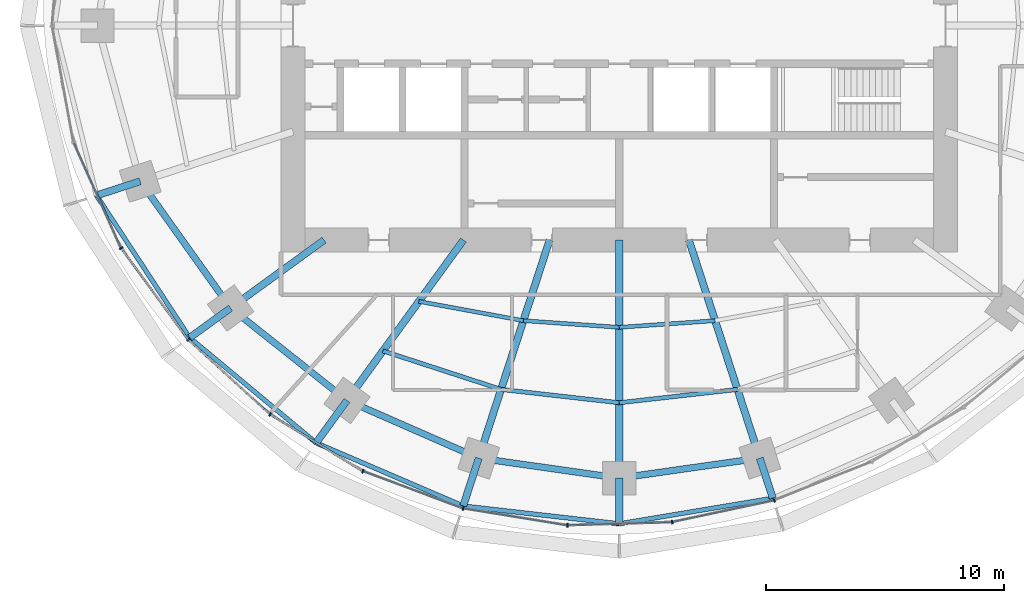
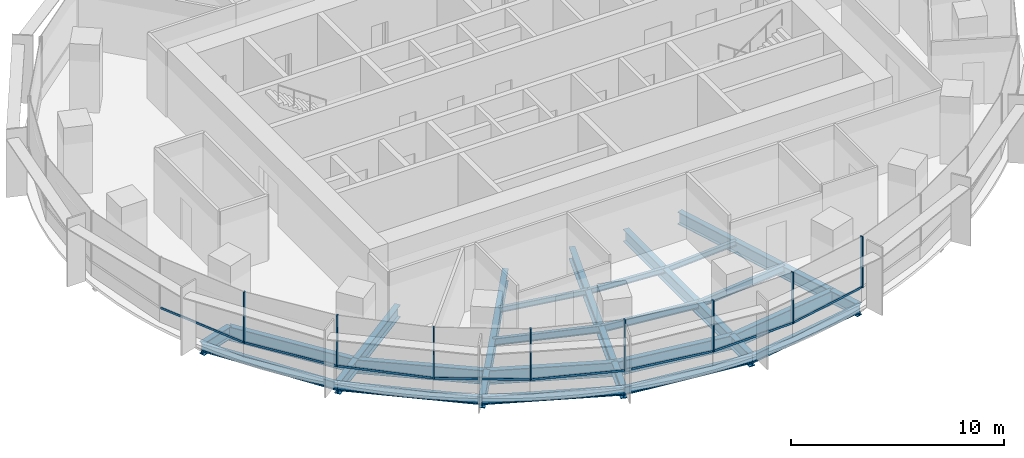
# One storey, part 2 of 15: 27 beams, 16 members, 2 elements without a shape of their own.
"""IFC4 building model written with IfcOpenShell, lengths in metres."""

import ifcopenshell
import ifcopenshell.guid

model = None  # the IFC model being written
_history = None  # IfcOwnerHistory: only IFC2X3 demands one
_inside = {}  # id of a spatial element -> (the spatial element, [elements in it])
_under = {}  # id of a project, library or spatial element -> (it, [spatial elements below it])
_declared = {}  # id of a project -> (the project, [libraries it declares])
_typed = {}  # id of a type object -> (the type object, [elements of that type])
_made_of = {}  # id of a material, layer set ... -> (it, [elements and type objects made of it])


def new_model(schema):
    """Start an empty IFC model of exactly this schema.

    Asked for "IFC4X3", IfcOpenShell would pick the latest addendum, in which some entities
    have other attributes; the version numbers below select the first issue.
    IFC2X3 requires an IfcOwnerHistory on every rooted entity: one is made here for all.
    """
    global model, _history
    if schema == "IFC4X3":
        model = ifcopenshell.file(schema_version=(4, 3, 0, 0))
    else:
        model = ifcopenshell.file(schema=schema)
    _inside.clear()
    _under.clear()
    _declared.clear()
    _typed.clear()
    _made_of.clear()
    _history = None
    if model.schema == "IFC2X3":
        org = make("IfcOrganization", Name="unknown")
        user = make(
            "IfcPersonAndOrganization",
            ThePerson=make("IfcPerson", FamilyName="unknown"),
            TheOrganization=org,
        )
        app = make(
            "IfcApplication",
            ApplicationDeveloper=org,
            Version="unknown",
            ApplicationFullName="unknown",
            ApplicationIdentifier="unknown",
        )
        _history = make(
            "IfcOwnerHistory",
            OwningUser=user,
            OwningApplication=app,
            ChangeAction="ADDED",
            CreationDate=0,
        )
    return model


def make(cls, **values):
    """One entity of the class cls with the attributes given. An attribute that is None is left unset."""
    return model.create_entity(
        cls, **{name: value for name, value in values.items() if value is not None}
    )


def rooted(cls, **values):
    """An entity with a GlobalId (a new one), such as an element, a storey or a relation."""
    return make(cls, GlobalId=ifcopenshell.guid.new(), OwnerHistory=_history, **values)


def si_unit(unit_type, name, prefix=None):
    """IfcSIUnit, for example si_unit("LENGTHUNIT", "METRE", prefix="MILLI")."""
    return make("IfcSIUnit", UnitType=unit_type, Prefix=prefix, Name=name)


def assignment(units):
    """IfcUnitAssignment: the units of a project."""
    return None if units is None else make("IfcUnitAssignment", Units=units)


def point(xyz):
    """IfcCartesianPoint."""
    return None if xyz is None else make("IfcCartesianPoint", Coordinates=xyz)


def direction(xyz):
    """IfcDirection."""
    return None if xyz is None else make("IfcDirection", DirectionRatios=xyz)


def frame(location, z_axis=None, x_axis=None):
    """IfcAxis2Placement3D, a coordinate frame: its origin and axes. An axis left out is left unset."""
    return make(
        "IfcAxis2Placement3D",
        Location=point(location),
        Axis=direction(z_axis),
        RefDirection=direction(x_axis),
    )


def frame_2d(location, x_axis=None):
    """IfcAxis2Placement2D, a coordinate frame in the plane: its origin and x axis."""
    return make(
        "IfcAxis2Placement2D", Location=point(location), RefDirection=direction(x_axis)
    )


def origin():
    """The frame at (0, 0, 0) with its axes left unset."""
    return frame((0.0, 0.0, 0.0))


def origin_2d():
    """The frame at (0, 0) in the plane with its x axis left unset."""
    return frame_2d((0.0, 0.0))


def place(relative_to, where):
    """IfcLocalPlacement: puts the frame where relative to a parent placement (None: the world)."""
    return make(
        "IfcLocalPlacement", PlacementRelTo=relative_to, RelativePlacement=where
    )


def context(
    kind, dimensions, precision=None, world=None, true_north=None, identifier=None
):
    """IfcGeometricRepresentationContext, for example the 3D "Model" context."""
    return make(
        "IfcGeometricRepresentationContext",
        ContextIdentifier=identifier,
        ContextType=kind,
        CoordinateSpaceDimension=dimensions,
        Precision=precision,
        WorldCoordinateSystem=world,
        TrueNorth=true_north,
    )


def subcontext(parent, identifier, kind, view, scale=None):
    """IfcGeometricRepresentationSubContext, for example "Body" below "Model"."""
    return make(
        "IfcGeometricRepresentationSubContext",
        ContextIdentifier=identifier,
        ContextType=kind,
        ParentContext=parent,
        TargetScale=scale,
        TargetView=view,
    )


def project(units=None, contexts=None):
    """IfcProject with its units and contexts."""
    return rooted(
        "IfcProject",
        Name="project",
        RepresentationContexts=contexts,
        UnitsInContext=assignment(units),
    )


def spatial(cls, under=None, at=None, **own):
    """A site, building, storey or space (cls), placed at a placement, below another one or the project."""
    s = rooted(cls, ObjectPlacement=at, **own)
    if under is not None:
        _under.setdefault(under.id(), (under, []))[1].append(s)
    return s


def profile(cls, at=None, kind="AREA", **sizes):
    """A parametric profile (cls). Its sizes go by their IFC names, for example OverallWidth=200.0."""
    return make(cls, ProfileType=kind, Position=at, **sizes)


def rectangle(**sizes):
    """IfcRectangleProfileDef."""
    return profile("IfcRectangleProfileDef", **sizes)


def i_section(**sizes):
    """IfcIShapeProfileDef."""
    return profile("IfcIShapeProfileDef", **sizes)


def extrude(swept, where, along, depth):
    """IfcExtrudedAreaSolid: the profile swept, set in the frame where, extruded along a direction by depth."""
    return make(
        "IfcExtrudedAreaSolid",
        SweptArea=swept,
        Position=where,
        ExtrudedDirection=direction(along),
        Depth=depth,
    )


def shape(context_of_items, identifier, shape_type, items):
    """IfcShapeRepresentation: the items that make up one representation, for example the "Body"."""
    return make(
        "IfcShapeRepresentation",
        ContextOfItems=context_of_items,
        RepresentationIdentifier=identifier,
        RepresentationType=shape_type,
        Items=items,
    )


def material(Name=None, Category=None):
    """IfcMaterial."""
    return make("IfcMaterial", Name=Name, Category=Category)


def material_profile(
    of_material, cross_section, Name=None, Category=None, Priority=None
):
    """IfcMaterialProfile: a cross section and its material."""
    return make(
        "IfcMaterialProfile",
        Name=Name,
        Material=of_material,
        Profile=cross_section,
        Priority=Priority,
        Category=Category,
    )


def profile_set(profiles, Name=None, composite=None):
    """IfcMaterialProfileSet."""
    return make(
        "IfcMaterialProfileSet",
        Name=Name,
        MaterialProfiles=profiles,
        CompositeProfile=composite,
    )


def made_of(thing, what):
    """Note that an element or type object is made of a material, layer set ...; save() writes the relation."""
    if what is not None:
        _made_of.setdefault(what.id(), (what, []))[1].append(thing)
    return thing


def type_object(cls, material=None, **own):
    """A type object (cls), such as IfcWallType, which elements share."""
    return made_of(rooted(cls, **own), material)


def element(
    cls,
    number,
    at=None,
    inside=None,
    cuts=None,
    type_object=None,
    material=None,
    context=None,
    identifier="Body",
    shape_type=None,
    held_by="IfcProductDefinitionShape",
    body=None,
    shapes=None,
    **own,
):
    """One element of the class cls, such as IfcWall. Its Tag is "e" and its number.

    at: its placement. inside: the storey or other place that contains it. cuts: it is an
    opening in that element (IfcRelVoidsElement). A single representation is given by context,
    identifier, shape_type and body (its items); several are given by shapes. held_by: the class
    of the entity that holds the representations. save() writes the other relations.
    """
    e = rooted(cls, Tag="e%d" % number, ObjectPlacement=at, **own)
    if body is not None:
        shapes = [shape(context, identifier, shape_type, body)]
    if shapes is not None:
        e.Representation = make(held_by, Representations=shapes)
    if inside is not None:
        _inside.setdefault(inside.id(), (inside, []))[1].append(e)
    if cuts is not None:
        rooted(
            "IfcRelVoidsElement", RelatingBuildingElement=cuts, RelatedOpeningElement=e
        )
    if type_object is not None:
        _typed.setdefault(type_object.id(), (type_object, []))[1].append(e)
    return made_of(e, material)


def aggregate(whole, parts):
    """IfcRelAggregates: a whole, such as a stair, and the parts it consists of."""
    return rooted("IfcRelAggregates", RelatingObject=whole, RelatedObjects=parts)


def save(model, path):
    """Write the relations noted so far, then the file.

    IfcRelAggregates (storeys below a building ...), IfcRelContainedInSpatialStructure (elements
    in a storey), IfcRelDefinesByType, IfcRelAssociatesMaterial and IfcRelDeclares: one each for
    every whole, place, type object, material and project.
    """
    for whole, parts in _under.values():
        aggregate(whole, parts)
    for where, things in _inside.values():
        rooted(
            "IfcRelContainedInSpatialStructure",
            RelatedElements=things,
            RelatingStructure=where,
        )
    for kind, things in _typed.values():
        rooted("IfcRelDefinesByType", RelatedObjects=things, RelatingType=kind)
    for what, things in _made_of.values():
        rooted("IfcRelAssociatesMaterial", RelatedObjects=things, RelatingMaterial=what)
    for by, libraries in _declared.values():
        rooted("IfcRelDeclares", RelatingContext=by, RelatedDefinitions=libraries)
    model.write(path)


model = new_model("IFC4")

# Units and contexts
model_context = context("Model", 3, precision=1e-05, world=origin(), true_north=direction((0.0, 1.0)))
body_context = subcontext(model_context, "Body", "Model", "MODEL_VIEW")
ifc_project = project(units=[si_unit("LENGTHUNIT", "METRE"), si_unit("AREAUNIT", "SQUARE_METRE"), si_unit("VOLUMEUNIT", "CUBIC_METRE"), si_unit("PLANEANGLEUNIT", "RADIAN"), si_unit("MASSUNIT", "GRAM", prefix="KILO")], contexts=[model_context])

# Site, building, storey
site_placement = place(None, origin())
site = spatial("IfcSite", under=ifc_project, at=site_placement, CompositionType="ELEMENT")
building_placement = place(site_placement, origin())
building = spatial("IfcBuilding", under=site, at=building_placement, Name="Marramba Exchange Tower", CompositionType="ELEMENT")
storey_placement = place(building_placement, frame((0.0, 0.0, 207.199951171875)))
storey = spatial("IfcBuildingStorey", under=building, at=storey_placement, Name="L50", CompositionType="ELEMENT", Elevation=207.199951171875)

# Beams
ifc_material_1 = material(Name="Steel AS/NZS 3679.2 grade 300", Category="steel")
ifc_material_profile_1 = material_profile(ifc_material_1, i_section(OverallWidth=0.300048828125, OverallDepth=0.699951171875, WebThickness=0.010009765625, FlangeThickness=0.031982421875, at=origin_2d()), Name="700WB173")
ifc_profile_set_1 = profile_set([ifc_material_profile_1], Name="Steel AS/NZS 3679.2 grade 300")
beam_type_1 = type_object("IfcBeamType", Name="Cantilever girder 700WB173", PredefinedType="BEAM", material=ifc_profile_set_1)
beam_1_placement = place(storey_placement, frame((-20.109375, -6.533935546875, -0.510009765625), z_axis=(-0.951071238541, -0.308971680287, 0.0), x_axis=(0.308971680287, -0.951071238541, 0.0)))
element("IfcBeam", 1, at=beam_1_placement, inside=storey, type_object=beam_type_1, Name="Cantilever girder L50 TC12", PredefinedType="BEAM", context=body_context, shape_type="SweptSolid", body=[
    extrude(i_section(OverallWidth=0.300048828125, OverallDepth=0.699951171875, WebThickness=0.010009765625, FlangeThickness=0.031982421875, at=origin_2d()), origin(), (0.0, 0.0, 1.0), 1.930419921875),
])
beam_2_placement = place(storey_placement, frame((-16.3154296875, -11.853759765625, -0.510009765625), z_axis=(-0.808969966943, -0.587849974555, 0.0), x_axis=(0.587849974555, -0.808969966943, 0.0)))
element("IfcBeam", 2, at=beam_2_placement, inside=storey, type_object=beam_type_1, Name="Cantilever girder L50 TC13", PredefinedType="BEAM", context=body_context, shape_type="SweptSolid", body=[
    extrude(i_section(OverallWidth=0.300048828125, OverallDepth=0.699951171875, WebThickness=0.010009765625, FlangeThickness=0.031982421875, at=origin_2d()), origin(), (0.0, 0.0, 1.0), 2.12109375),
])
beam_3_placement = place(storey_placement, frame((-11.430419921875, -15.732666015625, -0.510009765625), z_axis=(-0.587789596657, -0.809013837992, 0.0), x_axis=(0.809013837992, -0.587789596657, 0.0)))
element("IfcBeam", 3, at=beam_3_placement, inside=storey, type_object=beam_type_1, Name="Cantilever girder L50 TC14", PredefinedType="BEAM", context=body_context, shape_type="SweptSolid", body=[
    extrude(i_section(OverallWidth=0.300048828125, OverallDepth=0.699951171875, WebThickness=0.010009765625, FlangeThickness=0.031982421875, at=origin_2d()), origin(), (0.0, 0.0, 1.0), 2.203857421875),
])
beam_4_placement = place(storey_placement, frame((-5.899658203125, -18.156982421875, -0.510009765625), z_axis=(-0.308971068529, -0.951071437281, 0.0), x_axis=(0.951071437281, -0.308971068529, 0.0)))
element("IfcBeam", 4, at=beam_4_placement, inside=storey, type_object=beam_type_1, Name="Cantilever girder L50 TC15", PredefinedType="BEAM", context=body_context, shape_type="SweptSolid", body=[
    extrude(i_section(OverallWidth=0.300048828125, OverallDepth=0.699951171875, WebThickness=0.010009765625, FlangeThickness=0.031982421875, at=origin_2d()), origin(), (0.0, 0.0, 1.0), 2.112060546875),
])
beam_5_placement = place(storey_placement, frame((0.0, -18.99609375, -0.510009765625), z_axis=(0.0, -1.0, 0.0), x_axis=(1.0, 0.0, 0.0)))
element("IfcBeam", 5, at=beam_5_placement, inside=storey, type_object=beam_type_1, Name="Cantilever girder L50 TC16", PredefinedType="BEAM", context=body_context, shape_type="SweptSolid", body=[
    extrude(i_section(OverallWidth=0.300048828125, OverallDepth=0.699951171875, WebThickness=0.010009765625, FlangeThickness=0.031982421875, at=origin_2d()), origin(), (0.0, 0.0, 1.0), 1.917724609375),
])
beam_6_placement = place(storey_placement, frame((5.899658203125, -18.156982421875, -0.510009765625), z_axis=(0.308926813415, -0.951085813138, 0.0), x_axis=(0.951085813138, 0.308926813415, 0.0)))
element("IfcBeam", 6, at=beam_6_placement, inside=storey, type_object=beam_type_1, Name="Cantilever girder L50 TC17", PredefinedType="BEAM", context=body_context, shape_type="SweptSolid", body=[
    extrude(i_section(OverallWidth=0.300048828125, OverallDepth=0.699951171875, WebThickness=0.010009765625, FlangeThickness=0.031982421875, at=origin_2d()), origin(), (0.0, 0.0, 1.0), 1.767822265625),
])
ifc_material_2 = material(Name="Steel AS/NZS 3679.1 grade 300", Category="steel")
ifc_material_profile_2 = material_profile(ifc_material_2, i_section(OverallWidth=0.166015625, OverallDepth=0.306884765625, WebThickness=0.006591796875, FlangeThickness=0.01171875, FilletRadius=0.011474609375, at=origin_2d()), Name="310UB46.2")
ifc_profile_set_2 = profile_set([ifc_material_profile_2], Name="Steel AS/NZS 3679.1 grade 300")
beam_type_2 = type_object("IfcBeamType", Name="Floor joist 310UB46.2", PredefinedType="JOIST", material=ifc_profile_set_2)
beam_7_placement = place(storey_placement, frame((-8.41162109375, -11.57763671875, -0.3134765625), z_axis=(0.983455754421, -0.181148500119, 0.0), x_axis=(0.181148500119, 0.983455754421, 0.0)))
element("IfcBeam", 7, at=beam_7_placement, inside=storey, type_object=beam_type_2, Name="Joist L50 bay 14 row 1", PredefinedType="JOIST", context=body_context, shape_type="SweptSolid", body=[
    extrude(i_section(OverallWidth=0.166015625, OverallDepth=0.306884765625, WebThickness=0.006591796875, FlangeThickness=0.01171875, FilletRadius=0.011474609375, at=origin_2d()), origin(), (0.0, 0.0, 1.0), 4.4609375),
])
for number, where, z_axis, x_axis, name in (
    (8, (-4.0244140625, -12.3857421875, -0.3134765625), (0.99759625901, -0.069294328838, 0.0), (0.069294328838, 0.99759625901, 0.0), "Joist L50 bay 15 row 1"),
    (9, (0.0, -12.665283203125, -0.3134765625), (0.99759625901, 0.069294328838, 0.0), (-0.069294328838, 0.99759625901, 0.0), "Joist L50 bay 16 row 1"),
):
    element("IfcBeam", number, at=place(storey_placement, frame(where, z_axis=z_axis, x_axis=x_axis)), inside=storey, type_object=beam_type_2, Name=name, PredefinedType="JOIST", context=body_context, shape_type="SweptSolid", body=[
        extrude(i_section(OverallWidth=0.166015625, OverallDepth=0.306884765625, WebThickness=0.006591796875, FlangeThickness=0.01171875, FilletRadius=0.011474609375, at=origin_2d()), origin(), (0.0, 0.0, 1.0), 4.0341796875),
    ])
ifc_material_profile_3 = material_profile(ifc_material_2, i_section(OverallWidth=0.177978515625, OverallDepth=0.406005859375, WebThickness=0.0078125, FlangeThickness=0.0126953125, FilletRadius=0.011474609375, at=origin_2d()), Name="410UB59.7")
ifc_profile_set_3 = profile_set([ifc_material_profile_3], Name="Steel AS/NZS 3679.1 grade 300")
beam_type_3 = type_object("IfcBeamType", Name="Floor joist 410UB59.7", PredefinedType="JOIST", material=ifc_profile_set_3)
beam_8_placement = place(storey_placement, frame((-9.9208984375, -13.655029296875, -0.363037109375), z_axis=(0.950764024931, -0.309915744834, 0.0), x_axis=(0.309915744834, 0.950764024931, 0.0)))
element("IfcBeam", 10, at=beam_8_placement, inside=storey, type_object=beam_type_3, Name="Joist L50 bay 14 row 2", PredefinedType="JOIST", context=body_context, shape_type="SweptSolid", body=[
    extrude(i_section(OverallWidth=0.177978515625, OverallDepth=0.406005859375, WebThickness=0.0078125, FlangeThickness=0.0126953125, FilletRadius=0.011474609375, at=origin_2d()), origin(), (0.0, 0.0, 1.0), 5.2158203125),
])
for number, where, z_axis, x_axis, name in (
    (11, (-4.9619140625, -15.271484375, -0.363037109375), (0.993712018573, -0.111966174106, 0.0), (0.111966174106, 0.993712018573, 0.0), "Joist L50 bay 15 row 2"),
    (12, (0.0, -15.83056640625, -0.363037109375), (0.993712018573, 0.111966174106, 0.0), (-0.111966174106, 0.993712018573, 0.0), "Joist L50 bay 16 row 2"),
):
    element("IfcBeam", number, at=place(storey_placement, frame(where, z_axis=z_axis, x_axis=x_axis)), inside=storey, type_object=beam_type_3, Name=name, PredefinedType="JOIST", context=body_context, shape_type="SweptSolid", body=[
        extrude(i_section(OverallWidth=0.177978515625, OverallDepth=0.406005859375, WebThickness=0.0078125, FlangeThickness=0.0126953125, FilletRadius=0.011474609375, at=origin_2d()), origin(), (0.0, 0.0, 1.0), 4.993408203125),
    ])

# Curtain wall, members
ifc_material_3 = material(Name="Aluminium framing, bronze anodised", Category="aluminium")
curtain_wall_type = type_object("IfcCurtainWallType", Name="Office ribbon curtain wall", PredefinedType="USERDEFINED", material=ifc_material_3)
curtain_wall_1_placement = place(storey_placement, origin())
curtain_wall_1 = element("IfcCurtainWall", 13, at=curtain_wall_1_placement, inside=storey, type_object=curtain_wall_type, Name="Curtain wall CW4 L50 F16-F20", ObjectType="RIBBON CURTAIN WALL", PredefinedType="USERDEFINED")
ifc_material_4 = material(Name="Aluminium mullion, bronze anodised", Category="aluminium")
ifc_material_profile_4 = material_profile(ifc_material_4, rectangle(XDim=0.159912109375, YDim=0.06005859375, at=origin_2d()), Name="CW4 mullion 60x160")
ifc_profile_set_4 = profile_set([ifc_material_profile_4], Name="Aluminium mullion, bronze anodised")
member_type_1 = type_object("IfcMemberType", Name="Office ribbon curtain wall mullion", PredefinedType="MULLION", material=ifc_profile_set_4)
member_1_placement = place(storey_placement, frame((-20.910400390625, -9.342041015625, 0.800048828125), z_axis=(0.0, 0.0, 1.0), x_axis=(0.806508054547, 0.591223103363, 0.0)))
member_1 = element("IfcMember", 14, at=member_1_placement, type_object=member_type_1, Name="CW4 mullion 1", PredefinedType="MULLION", context=body_context, shape_type="SweptSolid", body=[
    extrude(rectangle(XDim=0.159912109375, YDim=0.06005859375, at=origin_2d()), origin(), (0.0, 0.0, 1.0), 2.93994140625),
])
member_2_placement = place(storey_placement, frame((-18.090087890625, -13.179443359375, 0.800048828125), z_axis=(0.0, 0.0, 1.0), x_axis=(0.67567103474, 0.737203264245, 0.0)))
member_2 = element("IfcMember", 15, at=member_2_placement, type_object=member_type_1, Name="CW4 mullion 1", PredefinedType="MULLION", context=body_context, shape_type="SweptSolid", body=[
    extrude(rectangle(XDim=0.159912109375, YDim=0.06005859375, at=origin_2d()), origin(), (0.0, 0.0, 1.0), 2.93994140625),
])
member_3_placement = place(storey_placement, frame((-14.655029296875, -16.320068359375, 0.800048828125), z_axis=(0.0, 0.0, 1.0), x_axis=(0.52305160869, 0.85230101176, 0.0)))
member_3 = element("IfcMember", 16, at=member_3_placement, type_object=member_type_1, Name="CW4 mullion 1", PredefinedType="MULLION", context=body_context, shape_type="SweptSolid", body=[
    extrude(rectangle(XDim=0.159912109375, YDim=0.06005859375, at=origin_2d()), origin(), (0.0, 0.0, 1.0), 2.93994140625),
])

curtain_wall_2_placement = place(storey_placement, origin())
curtain_wall_2 = element("IfcCurtainWall", 17, at=curtain_wall_2_placement, inside=storey, type_object=curtain_wall_type, Name="Curtain wall CW4 L50 F21-F25", ObjectType="RIBBON CURTAIN WALL", PredefinedType="USERDEFINED")
member_4_placement = place(storey_placement, frame((-10.76318359375, -18.70166015625, 0.800048828125), z_axis=(0.0, 0.0, 1.0), x_axis=(0.349459197687, 0.936951583142, 0.0)))
member_4 = element("IfcMember", 18, at=member_4_placement, type_object=member_type_1, Name="CW4 mullion 1", PredefinedType="MULLION", context=body_context, shape_type="SweptSolid", body=[
    extrude(rectangle(XDim=0.159912109375, YDim=0.06005859375, at=origin_2d()), origin(), (0.0, 0.0, 1.0), 2.93994140625),
])
member_5_placement = place(storey_placement, frame((-6.553466796875, -20.265625, 0.800048828125), z_axis=(0.0, 0.0, 1.0), x_axis=(0.161145726194, 0.986930623159, 0.0)))
member_5 = element("IfcMember", 19, at=member_5_placement, type_object=member_type_1, Name="CW4 mullion 1", PredefinedType="MULLION", context=body_context, shape_type="SweptSolid", body=[
    extrude(rectangle(XDim=0.159912109375, YDim=0.06005859375, at=origin_2d()), origin(), (0.0, 0.0, 1.0), 2.93994140625),
])
member_6_placement = place(storey_placement, frame((-2.174560546875, -20.974853515625, 0.800048828125), z_axis=(0.0, 0.0, 1.0), x_axis=(-0.029393451762, 0.99956791915, 0.0)))
member_6 = element("IfcMember", 20, at=member_6_placement, type_object=member_type_1, Name="CW4 mullion 1", PredefinedType="MULLION", context=body_context, shape_type="SweptSolid", body=[
    extrude(rectangle(XDim=0.159912109375, YDim=0.06005859375, at=origin_2d()), origin(), (0.0, 0.0, 1.0), 2.93994140625),
])
member_7_placement = place(storey_placement, frame((2.220458984375, -20.840087890625, 0.800048828125), z_axis=(0.0, 0.0, 1.0), x_axis=(-0.208332456608, 0.978058069607, 0.0)))
member_7 = element("IfcMember", 21, at=member_7_placement, type_object=member_type_1, Name="CW4 mullion 1", PredefinedType="MULLION", context=body_context, shape_type="SweptSolid", body=[
    extrude(rectangle(XDim=0.159912109375, YDim=0.06005859375, at=origin_2d()), origin(), (0.0, 0.0, 1.0), 2.93994140625),
])
member_8_placement = place(storey_placement, frame((6.504638671875, -19.922607421875, 0.800048828125), z_axis=(0.0, 0.0, 1.0), x_axis=(-0.367374724195, 0.93007301435, 0.0)))
member_8 = element("IfcMember", 22, at=member_8_placement, type_object=member_type_1, Name="CW4 mullion 1", PredefinedType="MULLION", context=body_context, shape_type="SweptSolid", body=[
    extrude(rectangle(XDim=0.159912109375, YDim=0.06005859375, at=origin_2d()), origin(), (0.0, 0.0, 1.0), 2.93994140625),
])

# Member
ifc_material_5 = material(Name="Aluminium transom, bronze anodised", Category="aluminium")
ifc_material_profile_5 = material_profile(ifc_material_5, rectangle(XDim=0.06005859375, YDim=0.1201171875, at=origin_2d()), Name="CW4 transom 60x120")
ifc_profile_set_5 = profile_set([ifc_material_profile_5], Name="Aluminium transom, bronze anodised")
member_type_2 = type_object("IfcMemberType", Name="Office ribbon curtain wall transom", PredefinedType="USERDEFINED", material=ifc_profile_set_5)
member_9_placement = place(storey_placement, frame((-22.888671875, -4.925048828125, 0.830078125), z_axis=(0.407541263131, -0.913186792965, 0.0), x_axis=(0.913186792965, 0.407541263131, 0.0)))
member_9 = element("IfcMember", 23, at=member_9_placement, type_object=member_type_2, Name="CW4 sill transom", ObjectType="TRANSOM", PredefinedType="USERDEFINED", context=body_context, shape_type="SweptSolid", body=[
    extrude(rectangle(XDim=0.06005859375, YDim=0.1201171875, at=origin_2d()), origin(), (0.0, 0.0, 1.0), 4.810546875),
])

member_10_placement = place(storey_placement, frame((-20.892578125, -9.3662109375, 0.830078125), z_axis=(0.591226373184, -0.806505657545, 0.0), x_axis=(0.806505657545, 0.591226373184, 0.0)))
member_10 = element("IfcMember", 24, at=member_10_placement, type_object=member_type_2, Name="CW4 sill transom", ObjectType="TRANSOM", PredefinedType="USERDEFINED", context=body_context, shape_type="SweptSolid", body=[
    extrude(rectangle(XDim=0.06005859375, YDim=0.1201171875, at=origin_2d()), origin(), (0.0, 0.0, 1.0), 4.702880859375),
])

member_11_placement = place(storey_placement, frame((-18.06787109375, -13.19970703125, 0.830078125), z_axis=(0.737176195283, -0.675700567639, 0.0), x_axis=(0.675700567639, 0.737176195283, 0.0)))
member_11 = element("IfcMember", 25, at=member_11_placement, type_object=member_type_2, Name="CW4 sill transom", ObjectType="TRANSOM", PredefinedType="USERDEFINED", context=body_context, shape_type="SweptSolid", body=[
    extrude(rectangle(XDim=0.06005859375, YDim=0.1201171875, at=origin_2d()), origin(), (0.0, 0.0, 1.0), 4.5947265625),
])

member_12_placement = place(storey_placement, frame((-14.62939453125, -16.335693359375, 0.830078125), z_axis=(0.852298011003, -0.523056498325, 0.0), x_axis=(0.523056498325, 0.852298011003, 0.0)))
member_12 = element("IfcMember", 26, at=member_12_placement, type_object=member_type_2, Name="CW4 sill transom", ObjectType="TRANSOM", PredefinedType="USERDEFINED", context=body_context, shape_type="SweptSolid", body=[
    extrude(rectangle(XDim=0.06005859375, YDim=0.1201171875, at=origin_2d()), origin(), (0.0, 0.0, 1.0), 4.503173828125),
])

aggregate(curtain_wall_1, [member_9, member_1, member_10, member_2, member_11, member_3, member_12])

member_13_placement = place(storey_placement, frame((-10.735107421875, -18.712158203125, 0.830078125), z_axis=(0.936954830677, -0.349450490444, 0.0), x_axis=(0.349450490444, 0.936954830677, 0.0)))
member_13 = element("IfcMember", 27, at=member_13_placement, type_object=member_type_2, Name="CW4 sill transom", ObjectType="TRANSOM", PredefinedType="USERDEFINED", context=body_context, shape_type="SweptSolid", body=[
    extrude(rectangle(XDim=0.06005859375, YDim=0.1201171875, at=origin_2d()), origin(), (0.0, 0.0, 1.0), 4.431396484375),
])

member_14_placement = place(storey_placement, frame((-6.52392578125, -20.2705078125, 0.830078125), z_axis=(0.986937225488, -0.161105285282, 0.0), x_axis=(0.161105285282, 0.986937225488, 0.0)))
member_14 = element("IfcMember", 28, at=member_14_placement, type_object=member_type_2, Name="CW4 sill transom", ObjectType="TRANSOM", PredefinedType="USERDEFINED", context=body_context, shape_type="SweptSolid", body=[
    extrude(rectangle(XDim=0.06005859375, YDim=0.1201171875, at=origin_2d()), origin(), (0.0, 0.0, 1.0), 4.37646484375),
])

member_15_placement = place(storey_placement, frame((-2.144775390625, -20.973876953125, 0.830078125), z_axis=(0.999568338005, 0.029379204529, 0.0), x_axis=(-0.029379204529, 0.999568338005, 0.0)))
member_15 = element("IfcMember", 29, at=member_15_placement, type_object=member_type_2, Name="CW4 sill transom", ObjectType="TRANSOM", PredefinedType="USERDEFINED", context=body_context, shape_type="SweptSolid", body=[
    extrude(rectangle(XDim=0.06005859375, YDim=0.1201171875, at=origin_2d()), origin(), (0.0, 0.0, 1.0), 4.337890625),
])

member_16_placement = place(storey_placement, frame((2.249755859375, -20.833984375, 0.830078125), z_axis=(0.978057951839, 0.208333009494, 0.0), x_axis=(-0.208333009494, 0.978057951839, 0.0)))
member_16 = element("IfcMember", 30, at=member_16_placement, type_object=member_type_2, Name="CW4 sill transom", ObjectType="TRANSOM", PredefinedType="USERDEFINED", context=body_context, shape_type="SweptSolid", body=[
    extrude(rectangle(XDim=0.06005859375, YDim=0.1201171875, at=origin_2d()), origin(), (0.0, 0.0, 1.0), 4.32177734375),
])

aggregate(curtain_wall_2, [member_4, member_13, member_5, member_14, member_6, member_15, member_7, member_16, member_8])

# Beams
ifc_material_profile_6 = material_profile(ifc_material_1, i_section(OverallWidth=0.300048828125, OverallDepth=0.699951171875, WebThickness=0.010009765625, FlangeThickness=0.031982421875, at=origin_2d()), Name="700WB173")
ifc_profile_set_6 = profile_set([ifc_material_profile_6], Name="Steel AS/NZS 3679.2 grade 300")
beam_type_4 = type_object("IfcBeamType", Name="Radial girder 700WB173", PredefinedType="BEAM", material=ifc_profile_set_6)
beam_9_placement = place(storey_placement, frame((-12.387451171875, -9.0, -0.510009765625), z_axis=(-0.809025189606, -0.58777397236, 0.0), x_axis=(0.58777397236, -0.809025189606, 0.0)))
element("IfcBeam", 31, at=beam_9_placement, inside=storey, type_object=beam_type_4, Name="Radial girder L50 TC13", PredefinedType="BEAM", context=body_context, shape_type="SweptSolid", body=[
    extrude(i_section(OverallWidth=0.300048828125, OverallDepth=0.699951171875, WebThickness=0.010009765625, FlangeThickness=0.031982421875, at=origin_2d()), origin(), (0.0, 0.0, 1.0), 4.855224609375),
])
beam_10_placement = place(storey_placement, frame((-6.538818359375, -9.0, -0.510009765625), z_axis=(-0.587787877172, -0.809015087282, 0.0), x_axis=(0.809015087282, -0.587787877172, 0.0)))
element("IfcBeam", 32, at=beam_10_placement, inside=storey, type_object=beam_type_4, Name="Radial girder L50 TC14", PredefinedType="BEAM", context=body_context, shape_type="SweptSolid", body=[
    extrude(i_section(OverallWidth=0.300048828125, OverallDepth=0.699951171875, WebThickness=0.010009765625, FlangeThickness=0.031982421875, at=origin_2d()), origin(), (0.0, 0.0, 1.0), 8.322021484375),
])
beam_11_placement = place(storey_placement, frame((-2.92431640625, -9.0, -0.510009765625), z_axis=(-0.309022428985, -0.951054750466, 0.0), x_axis=(0.951054750466, -0.309022428985, 0.0)))
element("IfcBeam", 33, at=beam_11_placement, inside=storey, type_object=beam_type_4, Name="Radial girder L50 TC15", PredefinedType="BEAM", context=body_context, shape_type="SweptSolid", body=[
    extrude(i_section(OverallWidth=0.300048828125, OverallDepth=0.699951171875, WebThickness=0.010009765625, FlangeThickness=0.031982421875, at=origin_2d()), origin(), (0.0, 0.0, 1.0), 9.628173828125),
])
beam_12_placement = place(storey_placement, frame((0.0, -9.0, -0.510009765625), z_axis=(0.0, -1.0, 0.0), x_axis=(1.0, 0.0, 0.0)))
element("IfcBeam", 34, at=beam_12_placement, inside=storey, type_object=beam_type_4, Name="Radial girder L50 TC16", PredefinedType="BEAM", context=body_context, shape_type="SweptSolid", body=[
    extrude(i_section(OverallWidth=0.300048828125, OverallDepth=0.699951171875, WebThickness=0.010009765625, FlangeThickness=0.031982421875, at=origin_2d()), origin(), (0.0, 0.0, 1.0), 9.99609375),
])
beam_13_placement = place(storey_placement, frame((2.92431640625, -9.0, -0.510009765625), z_axis=(0.309022428985, -0.951054750466, 0.0), x_axis=(0.951054750466, 0.309022428985, 0.0)))
element("IfcBeam", 35, at=beam_13_placement, inside=storey, type_object=beam_type_4, Name="Radial girder L50 TC17", PredefinedType="BEAM", context=body_context, shape_type="SweptSolid", body=[
    extrude(i_section(OverallWidth=0.300048828125, OverallDepth=0.699951171875, WebThickness=0.010009765625, FlangeThickness=0.031982421875, at=origin_2d()), origin(), (0.0, 0.0, 1.0), 9.628173828125),
])
ifc_material_profile_7 = material_profile(ifc_material_1, i_section(OverallWidth=0.27490234375, OverallDepth=0.800048828125, WebThickness=0.010009765625, FlangeThickness=0.02490234375, at=origin_2d()), Name="800WB168")
ifc_profile_set_7 = profile_set([ifc_material_profile_7], Name="Steel AS/NZS 3679.2 grade 300")
beam_type_5 = type_object("IfcBeamType", Name="Ring beam 800WB168", PredefinedType="SPANDREL", material=ifc_profile_set_7)
beam_14_placement = place(storey_placement, frame((-20.109375, -6.533935546875, -0.56005859375), z_axis=(0.580637181111, -0.814162430914, 0.0), x_axis=(0.814162430914, 0.580637181111, 0.0)))
element("IfcBeam", 36, at=beam_14_placement, inside=storey, type_object=beam_type_5, Name="Ring beam L50 TC12-TC13", PredefinedType="SPANDREL", context=body_context, shape_type="SweptSolid", body=[
    extrude(i_section(OverallWidth=0.27490234375, OverallDepth=0.800048828125, WebThickness=0.010009765625, FlangeThickness=0.02490234375, at=origin_2d()), origin(), (0.0, 0.0, 1.0), 6.5341796875),
])
beam_15_placement = place(storey_placement, frame((-16.3154296875, -11.853759765625, -0.56005859375), z_axis=(0.783139438128, -0.621846138887, 0.0), x_axis=(0.621846138887, 0.783139438128, 0.0)))
element("IfcBeam", 37, at=beam_15_placement, inside=storey, type_object=beam_type_5, Name="Ring beam L50 TC13-TC14", PredefinedType="SPANDREL", context=body_context, shape_type="SweptSolid", body=[
    extrude(i_section(OverallWidth=0.27490234375, OverallDepth=0.800048828125, WebThickness=0.010009765625, FlangeThickness=0.02490234375, at=origin_2d()), origin(), (0.0, 0.0, 1.0), 6.23779296875),
])
beam_16_placement = place(storey_placement, frame((-11.430419921875, -15.732666015625, -0.56005859375), z_axis=(0.915876892158, -0.4014592363, 0.0), x_axis=(0.4014592363, 0.915876892158, 0.0)))
element("IfcBeam", 38, at=beam_16_placement, inside=storey, type_object=beam_type_5, Name="Ring beam L50 TC14-TC15", PredefinedType="SPANDREL", context=body_context, shape_type="SweptSolid", body=[
    extrude(i_section(OverallWidth=0.27490234375, OverallDepth=0.800048828125, WebThickness=0.010009765625, FlangeThickness=0.02490234375, at=origin_2d()), origin(), (0.0, 0.0, 1.0), 6.038818359375),
])
for number, where, z_axis, x_axis, name in (
    (39, (-5.899658203125, -18.156982421875, -0.56005859375), (0.990036163016, -0.140813337152, 0.0), (0.140813337152, 0.990036163016, 0.0), "Ring beam L50 TC15-TC16"),
    (40, (0.0, -18.99609375, -0.56005859375), (0.990036163016, 0.140813337152, 0.0), (-0.140813337152, 0.990036163016, 0.0), "Ring beam L50 TC16-TC17"),
):
    element("IfcBeam", number, at=place(storey_placement, frame(where, z_axis=z_axis, x_axis=x_axis)), inside=storey, type_object=beam_type_5, Name=name, PredefinedType="SPANDREL", context=body_context, shape_type="SweptSolid", body=[
        extrude(i_section(OverallWidth=0.27490234375, OverallDepth=0.800048828125, WebThickness=0.010009765625, FlangeThickness=0.02490234375, at=origin_2d()), origin(), (0.0, 0.0, 1.0), 5.958984375),
    ])
ifc_material_profile_8 = material_profile(ifc_material_2, i_section(OverallWidth=0.19091796875, OverallDepth=0.4599609375, WebThickness=0.010009765625, FlangeThickness=0.01611328125, FilletRadius=0.011474609375, at=origin_2d()), Name="460UB82.1")
ifc_profile_set_8 = profile_set([ifc_material_profile_8], Name="Steel AS/NZS 3679.1 grade 300")
beam_type_6 = type_object("IfcBeamType", Name="Slab edge beam 460UB82.1", PredefinedType="SPANDREL", material=ifc_profile_set_8)
beam_17_placement = place(storey_placement, frame((-21.9453125, -7.13037109375, -0.389892578125), z_axis=(0.548275412052, -0.83629783722, 0.0), x_axis=(0.83629783722, 0.548275412052, 0.0)))
element("IfcBeam", 41, at=beam_17_placement, inside=storey, type_object=beam_type_6, Name="Slab edge beam L50 TC12-TC13", PredefinedType="SPANDREL", context=body_context, shape_type="SweptSolid", body=[
    extrude(i_section(OverallWidth=0.19091796875, OverallDepth=0.4599609375, WebThickness=0.010009765625, FlangeThickness=0.01611328125, FilletRadius=0.011474609375, at=origin_2d()), origin(), (0.0, 0.0, 1.0), 7.138916015625),
])
beam_18_placement = place(storey_placement, frame((-18.03125, -13.1005859375, -0.389892578125), z_axis=(0.768658895231, -0.639658895649, 0.0), x_axis=(0.639658895649, 0.768658895231, 0.0)))
element("IfcBeam", 42, at=beam_18_placement, inside=storey, type_object=beam_type_6, Name="Slab edge beam L50 TC13-TC14", PredefinedType="SPANDREL", context=body_context, shape_type="SweptSolid", body=[
    extrude(i_section(OverallWidth=0.19091796875, OverallDepth=0.4599609375, WebThickness=0.010009765625, FlangeThickness=0.01611328125, FilletRadius=0.011474609375, at=origin_2d()), origin(), (0.0, 0.0, 1.0), 6.902099609375),
])
beam_19_placement = place(storey_placement, frame((-12.725830078125, -17.515625, -0.389892578125), z_axis=(0.9189117964, -0.394463065999, 0.0), x_axis=(0.394463065999, 0.9189117964, 0.0)))
element("IfcBeam", 43, at=beam_19_placement, inside=storey, type_object=beam_type_6, Name="Slab edge beam L50 TC14-TC15", PredefinedType="SPANDREL", context=body_context, shape_type="SweptSolid", body=[
    extrude(i_section(OverallWidth=0.19091796875, OverallDepth=0.4599609375, WebThickness=0.010009765625, FlangeThickness=0.01611328125, FilletRadius=0.011474609375, at=origin_2d()), origin(), (0.0, 0.0, 1.0), 6.71826171875),
])
beam_20_placement = place(storey_placement, frame((-6.55224609375, -20.165771484375, -0.389892578125), z_axis=(0.993546030009, -0.113429653325, 0.0), x_axis=(0.113429653325, 0.993546030009, 0.0)))
element("IfcBeam", 44, at=beam_20_placement, inside=storey, type_object=beam_type_6, Name="Slab edge beam L50 TC15-TC16", PredefinedType="SPANDREL", context=body_context, shape_type="SweptSolid", body=[
    extrude(i_section(OverallWidth=0.19091796875, OverallDepth=0.4599609375, WebThickness=0.010009765625, FlangeThickness=0.01611328125, FilletRadius=0.011474609375, at=origin_2d()), origin(), (0.0, 0.0, 1.0), 6.5947265625),
])
beam_21_placement = place(storey_placement, frame((0.0, -20.913818359375, -0.389892578125), z_axis=(0.986365637189, 0.164568617219, 0.0), x_axis=(-0.164568617219, 0.986365637189, 0.0)))
element("IfcBeam", 45, at=beam_21_placement, inside=storey, type_object=beam_type_6, Name="Slab edge beam L50 TC16-TC17", PredefinedType="SPANDREL", context=body_context, shape_type="SweptSolid", body=[
    extrude(i_section(OverallWidth=0.19091796875, OverallDepth=0.4599609375, WebThickness=0.010009765625, FlangeThickness=0.01611328125, FilletRadius=0.011474609375, at=origin_2d()), origin(), (0.0, 0.0, 1.0), 6.534912109375),
])

save(model, "model.ifc")
